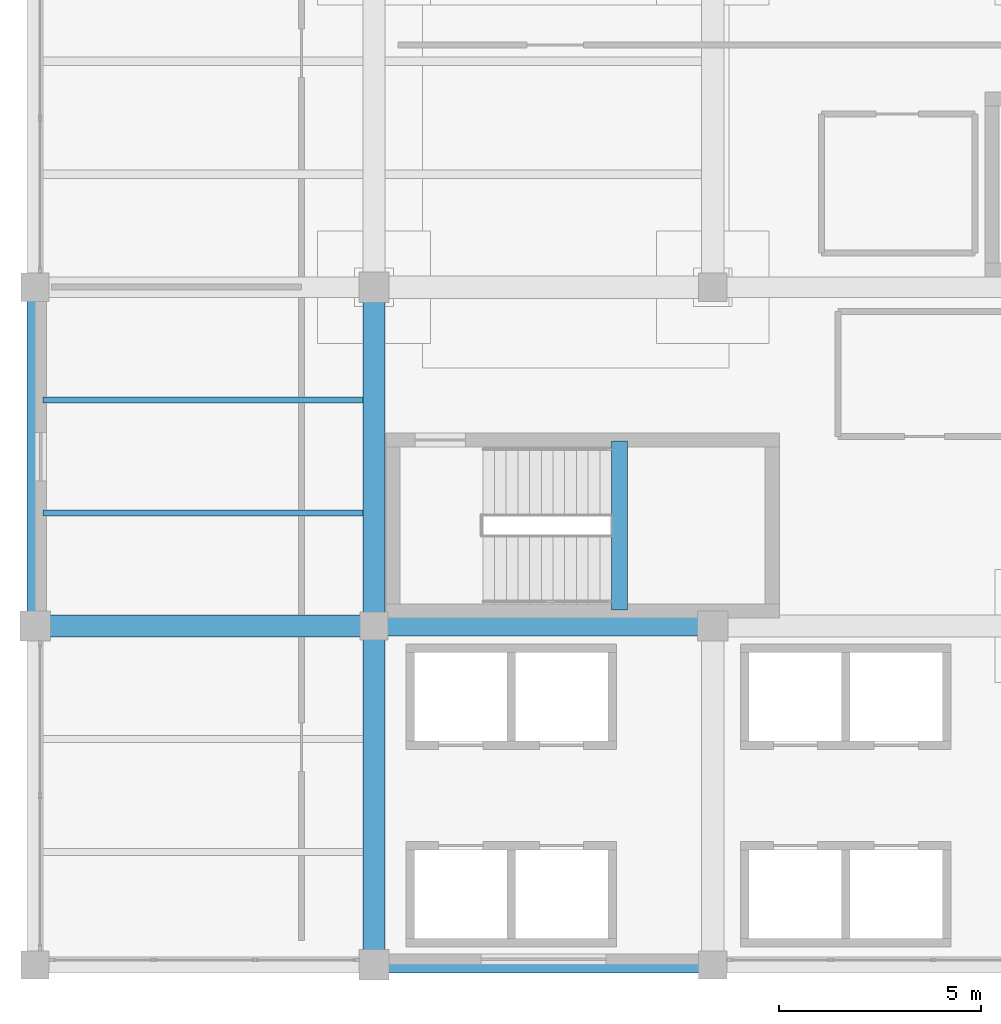
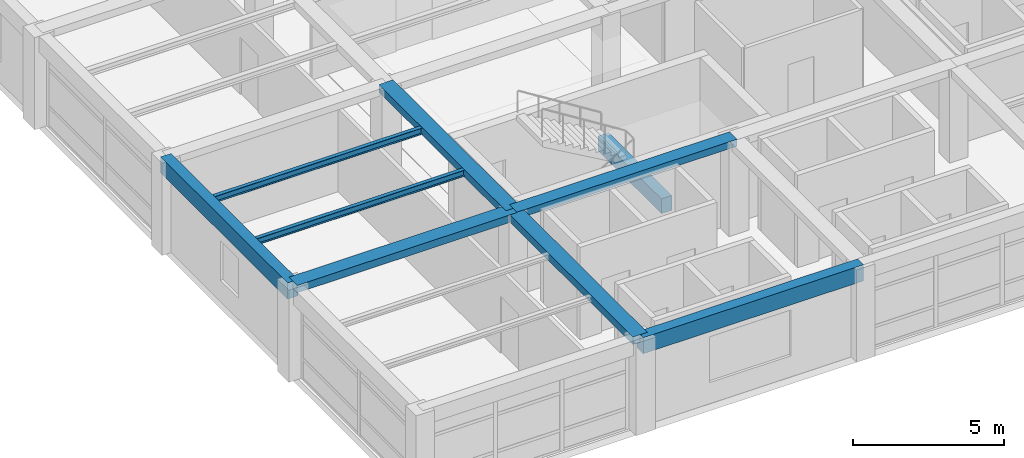
# One storey, part 3 of 26: 9 beams.
"""IFC4 building model written with IfcOpenShell, lengths in metres."""

from ifc_helpers import new_model, si_unit, direction, frame, origin, origin_2d, place, context, subcontext, project, spatial, rectangle, i_section, extrude, material, material_profile, profile_set, type_object, element, save


model = new_model("IFC4")

# Units and contexts
model_context = context("Model", 3, precision=1e-05, world=origin(), true_north=direction((0.0, 1.0)))
body_context = subcontext(model_context, "Body", "Model", "MODEL_VIEW")
ifc_project = project(units=[si_unit("LENGTHUNIT", "METRE"), si_unit("AREAUNIT", "SQUARE_METRE"), si_unit("VOLUMEUNIT", "CUBIC_METRE"), si_unit("PLANEANGLEUNIT", "RADIAN"), si_unit("MASSUNIT", "GRAM", prefix="KILO")], contexts=[model_context])

# Site, building, storey
site_placement = place(None, origin())
site = spatial("IfcSite", under=ifc_project, at=site_placement, CompositionType="ELEMENT")
building_placement = place(site_placement, origin())
building = spatial("IfcBuilding", under=site, at=building_placement, Name="Almacenes y Pasaje Nevantli", CompositionType="ELEMENT")
storey_placement = place(building_placement, frame((0.0, 0.0, 38.699951171875)))
storey = spatial("IfcBuildingStorey", under=building, at=storey_placement, Name="L09", CompositionType="ELEMENT", Elevation=38.699951171875)

# Beams
ifc_material_1 = material(Name="Concrete C35/45", Category="concrete")
ifc_material_profile_1 = material_profile(ifc_material_1, rectangle(XDim=0.39990234375, YDim=0.60009765625, at=origin_2d()), Name="RC-BM-400x600")
ifc_profile_set_1 = profile_set([ifc_material_profile_1], Name="Concrete C35/45")
beam_type_1 = type_object("IfcBeamType", Name="BM-RC-400x600", PredefinedType="SPANDREL", material=ifc_profile_set_1)
beam_1_placement = place(storey_placement, frame((123.68994140625, 76.0, 1.5), z_axis=(0.0, 1.0, 0.0), x_axis=(-1.0, 0.0, 0.0)))
element("IfcBeam", 1, at=beam_1_placement, inside=storey, type_object=beam_type_1, Name="L09 Stair ST-01 Half-Landing Support Beam", PredefinedType="SPANDREL", context=body_context, shape_type="SweptSolid", body=[
    extrude(rectangle(XDim=0.39990234375, YDim=0.60009765625, at=origin_2d()), origin(), (0.0, 0.0, 1.0), 4.18994140625),
])
ifc_material_2 = material(Name="Concrete C35/45", Category="concrete")
ifc_material_profile_2 = material_profile(ifc_material_2, rectangle(XDim=0.39990234375, YDim=0.64990234375, at=origin_2d()), Name="RC-BM-400x650")
ifc_profile_set_2 = profile_set([ifc_material_profile_2], Name="Concrete C35/45")
beam_type_2 = type_object("IfcBeamType", Name="BM-RC-400x650", PredefinedType="SPANDREL", material=ifc_profile_set_2)
for number, where, z_axis, x_axis, name in (
    (2, (117.60009765625, 67.199951171875, 3.39501953125), (1.0, 0.0, 0.0), (0.0, 1.0, 0.0), "L09 East-West Reinforced Concrete Beam #3742"),
    (3, (109.199951171875, 75.60009765625, 3.39501953125), (0.0, 1.0, 0.0), (-1.0, 0.0, 0.0), "L09 North-South Reinforced Concrete Beam #3772"),
):
    element("IfcBeam", number, at=place(storey_placement, frame(where, z_axis=z_axis, x_axis=x_axis)), inside=storey, type_object=beam_type_2, Name=name, PredefinedType="SPANDREL", context=body_context, shape_type="SweptSolid", body=[
        extrude(rectangle(XDim=0.39990234375, YDim=0.64990234375, at=origin_2d()), origin(), (0.0, 0.0, 1.0), 8.39990234375),
    ])
ifc_material_3 = material(Name="Concrete C35/45", Category="concrete")
ifc_material_profile_3 = material_profile(ifc_material_3, rectangle(XDim=0.5, YDim=0.280029296875, at=origin_2d()), Name="RC-BM-500x280")
ifc_profile_set_3 = profile_set([ifc_material_profile_3], Name="Concrete C35/45")
beam_type_3 = type_object("IfcBeamType", Name="BM-RC-500x280", PredefinedType="BEAM", material=ifc_profile_set_3)
beam_2_placement = place(storey_placement, frame((117.60009765625, 75.60009765625, 3.580078125), z_axis=(1.0, 0.0, 0.0), x_axis=(0.0, 1.0, 0.0)))
element("IfcBeam", 4, at=beam_2_placement, inside=storey, type_object=beam_type_3, Name="L09 East-West Reinforced Concrete Beam #3748", PredefinedType="BEAM", context=body_context, shape_type="SweptSolid", body=[
    extrude(rectangle(XDim=0.5, YDim=0.280029296875, at=origin_2d()), origin(), (0.0, 0.0, 1.0), 8.39990234375),
])
ifc_material_4 = material(Name="Concrete C35/45", Category="concrete")
ifc_material_profile_4 = material_profile(ifc_material_4, rectangle(XDim=0.550048828125, YDim=0.300048828125, at=origin_2d()), Name="RC-BM-550x300")
ifc_profile_set_4 = profile_set([ifc_material_profile_4], Name="Concrete C35/45")
beam_type_4 = type_object("IfcBeamType", Name="BM-RC-550x300", PredefinedType="BEAM", material=ifc_profile_set_4)
for number, where, z_axis, x_axis, name in (
    (5, (109.199951171875, 75.60009765625, 3.570068359375), (1.0, 0.0, 0.0), (0.0, 1.0, 0.0), "L09 East-West Reinforced Concrete Beam #3747"),
    (6, (117.60009765625, 67.199951171875, 3.570068359375), (0.0, 1.0, 0.0), (-1.0, 0.0, 0.0), "L09 North-South Reinforced Concrete Beam #3775"),
):
    element("IfcBeam", number, at=place(storey_placement, frame(where, z_axis=z_axis, x_axis=x_axis)), inside=storey, type_object=beam_type_4, Name=name, PredefinedType="BEAM", context=body_context, shape_type="SweptSolid", body=[
        extrude(rectangle(XDim=0.550048828125, YDim=0.300048828125, at=origin_2d()), origin(), (0.0, 0.0, 1.0), 8.400146484375),
    ])
beam_3_placement = place(storey_placement, frame((117.60009765625, 75.60009765625, 3.570068359375), z_axis=(0.0, 1.0, 0.0), x_axis=(-1.0, 0.0, 0.0)))
element("IfcBeam", 7, at=beam_3_placement, inside=storey, type_object=beam_type_4, Name="L09 North-South Reinforced Concrete Beam #3776", PredefinedType="BEAM", context=body_context, shape_type="SweptSolid", body=[
    extrude(rectangle(XDim=0.550048828125, YDim=0.300048828125, at=origin_2d()), origin(), (0.0, 0.0, 1.0), 8.39990234375),
])
ifc_material_5 = material(Name="Steel ASTM A992", Category="steel")
ifc_material_profile_5 = material_profile(ifc_material_5, i_section(OverallWidth=0.14697265625, OverallDepth=0.257080078125, WebThickness=0.006591796875, FlangeThickness=0.01123046875, at=origin_2d()), Name="IR 254x38.7")
ifc_profile_set_5 = profile_set([ifc_material_profile_5], Name="Steel ASTM A992")
beam_type_5 = type_object("IfcBeamType", Name="BM-STL-IR-254x38p7", PredefinedType="JOIST", material=ifc_profile_set_5)
for number, where, z_axis, x_axis, name in (
    (8, (109.39990234375, 78.39990234375, 3.58349609375), (1.0, 0.0, 0.0), (0.0, 1.0, 0.0), "L09 Secondary Steel Floor Joist #1457"),
    (9, (109.39990234375, 81.199951171875, 3.58349609375), (1.0, 0.0, 0.0), (0.0, 1.0, 0.0), "L09 Secondary Steel Floor Joist #1458"),
):
    element("IfcBeam", number, at=place(storey_placement, frame(where, z_axis=z_axis, x_axis=x_axis)), inside=storey, type_object=beam_type_5, Name=name, PredefinedType="JOIST", context=body_context, shape_type="SweptSolid", body=[
        extrude(i_section(OverallWidth=0.14697265625, OverallDepth=0.257080078125, WebThickness=0.006591796875, FlangeThickness=0.01123046875, at=origin_2d()), origin(), (0.0, 0.0, 1.0), 7.925048828125),
    ])

save(model, "model.ifc")
